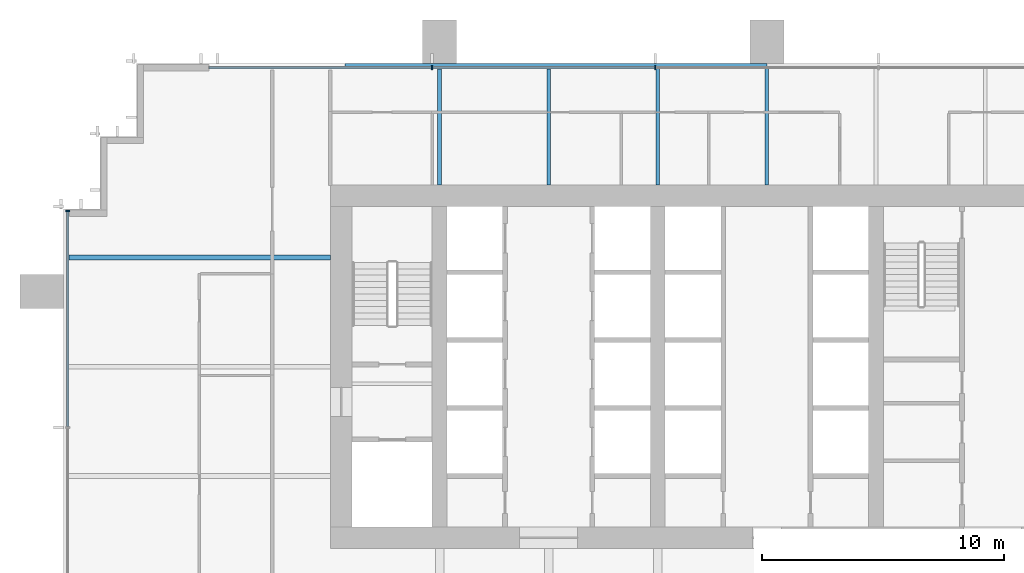
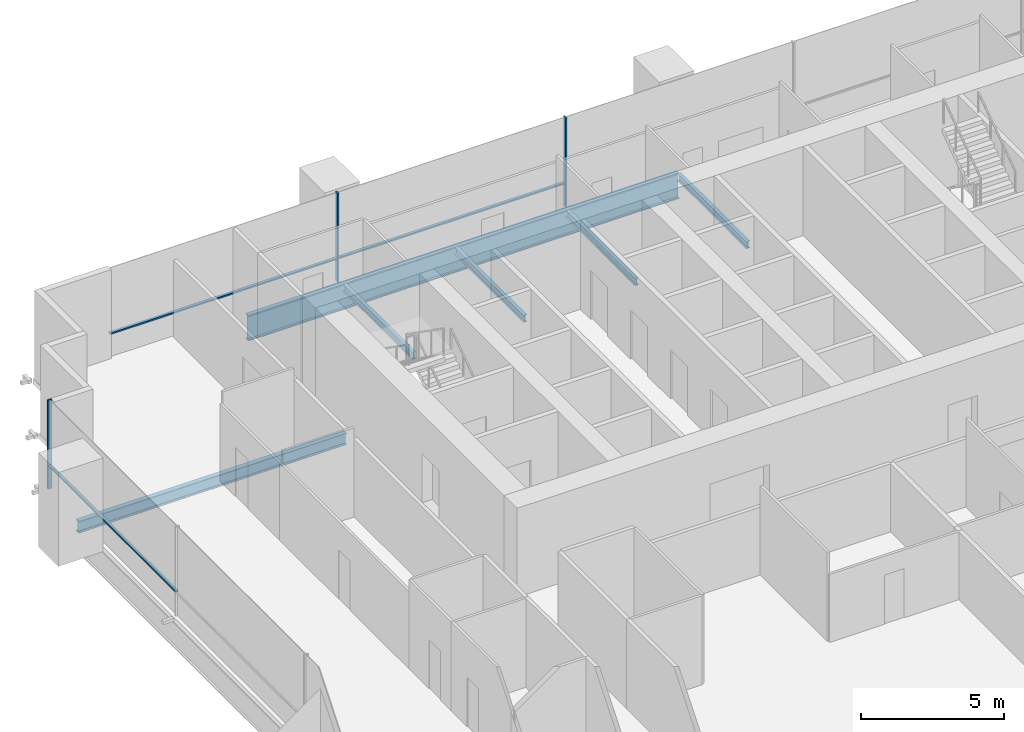
# One storey, part 7 of 15: 6 beams, 6 members, 2 elements without a shape of their own.
"""IFC4 building model written with IfcOpenShell, lengths in metres."""

import ifcopenshell
import ifcopenshell.guid

model = None  # the IFC model being written
_history = None  # IfcOwnerHistory: only IFC2X3 demands one
_inside = {}  # id of a spatial element -> (the spatial element, [elements in it])
_under = {}  # id of a project, library or spatial element -> (it, [spatial elements below it])
_declared = {}  # id of a project -> (the project, [libraries it declares])
_typed = {}  # id of a type object -> (the type object, [elements of that type])
_made_of = {}  # id of a material, layer set ... -> (it, [elements and type objects made of it])


def new_model(schema):
    """Start an empty IFC model of exactly this schema.

    Asked for "IFC4X3", IfcOpenShell would pick the latest addendum, in which some entities
    have other attributes; the version numbers below select the first issue.
    IFC2X3 requires an IfcOwnerHistory on every rooted entity: one is made here for all.
    """
    global model, _history
    if schema == "IFC4X3":
        model = ifcopenshell.file(schema_version=(4, 3, 0, 0))
    else:
        model = ifcopenshell.file(schema=schema)
    _inside.clear()
    _under.clear()
    _declared.clear()
    _typed.clear()
    _made_of.clear()
    _history = None
    if model.schema == "IFC2X3":
        org = make("IfcOrganization", Name="unknown")
        user = make(
            "IfcPersonAndOrganization",
            ThePerson=make("IfcPerson", FamilyName="unknown"),
            TheOrganization=org,
        )
        app = make(
            "IfcApplication",
            ApplicationDeveloper=org,
            Version="unknown",
            ApplicationFullName="unknown",
            ApplicationIdentifier="unknown",
        )
        _history = make(
            "IfcOwnerHistory",
            OwningUser=user,
            OwningApplication=app,
            ChangeAction="ADDED",
            CreationDate=0,
        )
    return model


def make(cls, **values):
    """One entity of the class cls with the attributes given. An attribute that is None is left unset."""
    return model.create_entity(
        cls, **{name: value for name, value in values.items() if value is not None}
    )


def rooted(cls, **values):
    """An entity with a GlobalId (a new one), such as an element, a storey or a relation."""
    return make(cls, GlobalId=ifcopenshell.guid.new(), OwnerHistory=_history, **values)


def si_unit(unit_type, name, prefix=None):
    """IfcSIUnit, for example si_unit("LENGTHUNIT", "METRE", prefix="MILLI")."""
    return make("IfcSIUnit", UnitType=unit_type, Prefix=prefix, Name=name)


def assignment(units):
    """IfcUnitAssignment: the units of a project."""
    return None if units is None else make("IfcUnitAssignment", Units=units)


def point(xyz):
    """IfcCartesianPoint."""
    return None if xyz is None else make("IfcCartesianPoint", Coordinates=xyz)


def direction(xyz):
    """IfcDirection."""
    return None if xyz is None else make("IfcDirection", DirectionRatios=xyz)


def frame(location, z_axis=None, x_axis=None):
    """IfcAxis2Placement3D, a coordinate frame: its origin and axes. An axis left out is left unset."""
    return make(
        "IfcAxis2Placement3D",
        Location=point(location),
        Axis=direction(z_axis),
        RefDirection=direction(x_axis),
    )


def frame_2d(location, x_axis=None):
    """IfcAxis2Placement2D, a coordinate frame in the plane: its origin and x axis."""
    return make(
        "IfcAxis2Placement2D", Location=point(location), RefDirection=direction(x_axis)
    )


def origin():
    """The frame at (0, 0, 0) with its axes left unset."""
    return frame((0.0, 0.0, 0.0))


def origin_2d():
    """The frame at (0, 0) in the plane with its x axis left unset."""
    return frame_2d((0.0, 0.0))


def place(relative_to, where):
    """IfcLocalPlacement: puts the frame where relative to a parent placement (None: the world)."""
    return make(
        "IfcLocalPlacement", PlacementRelTo=relative_to, RelativePlacement=where
    )


def context(
    kind, dimensions, precision=None, world=None, true_north=None, identifier=None
):
    """IfcGeometricRepresentationContext, for example the 3D "Model" context."""
    return make(
        "IfcGeometricRepresentationContext",
        ContextIdentifier=identifier,
        ContextType=kind,
        CoordinateSpaceDimension=dimensions,
        Precision=precision,
        WorldCoordinateSystem=world,
        TrueNorth=true_north,
    )


def subcontext(parent, identifier, kind, view, scale=None):
    """IfcGeometricRepresentationSubContext, for example "Body" below "Model"."""
    return make(
        "IfcGeometricRepresentationSubContext",
        ContextIdentifier=identifier,
        ContextType=kind,
        ParentContext=parent,
        TargetScale=scale,
        TargetView=view,
    )


def project(units=None, contexts=None):
    """IfcProject with its units and contexts."""
    return rooted(
        "IfcProject",
        Name="project",
        RepresentationContexts=contexts,
        UnitsInContext=assignment(units),
    )


def spatial(cls, under=None, at=None, **own):
    """A site, building, storey or space (cls), placed at a placement, below another one or the project."""
    s = rooted(cls, ObjectPlacement=at, **own)
    if under is not None:
        _under.setdefault(under.id(), (under, []))[1].append(s)
    return s


def profile(cls, at=None, kind="AREA", **sizes):
    """A parametric profile (cls). Its sizes go by their IFC names, for example OverallWidth=200.0."""
    return make(cls, ProfileType=kind, Position=at, **sizes)


def rectangle(**sizes):
    """IfcRectangleProfileDef."""
    return profile("IfcRectangleProfileDef", **sizes)


def i_section(**sizes):
    """IfcIShapeProfileDef."""
    return profile("IfcIShapeProfileDef", **sizes)


def extrude(swept, where, along, depth):
    """IfcExtrudedAreaSolid: the profile swept, set in the frame where, extruded along a direction by depth."""
    return make(
        "IfcExtrudedAreaSolid",
        SweptArea=swept,
        Position=where,
        ExtrudedDirection=direction(along),
        Depth=depth,
    )


def shape(context_of_items, identifier, shape_type, items):
    """IfcShapeRepresentation: the items that make up one representation, for example the "Body"."""
    return make(
        "IfcShapeRepresentation",
        ContextOfItems=context_of_items,
        RepresentationIdentifier=identifier,
        RepresentationType=shape_type,
        Items=items,
    )


def material(Name=None, Category=None):
    """IfcMaterial."""
    return make("IfcMaterial", Name=Name, Category=Category)


def material_profile(
    of_material, cross_section, Name=None, Category=None, Priority=None
):
    """IfcMaterialProfile: a cross section and its material."""
    return make(
        "IfcMaterialProfile",
        Name=Name,
        Material=of_material,
        Profile=cross_section,
        Priority=Priority,
        Category=Category,
    )


def profile_set(profiles, Name=None, composite=None):
    """IfcMaterialProfileSet."""
    return make(
        "IfcMaterialProfileSet",
        Name=Name,
        MaterialProfiles=profiles,
        CompositeProfile=composite,
    )


def made_of(thing, what):
    """Note that an element or type object is made of a material, layer set ...; save() writes the relation."""
    if what is not None:
        _made_of.setdefault(what.id(), (what, []))[1].append(thing)
    return thing


def type_object(cls, material=None, **own):
    """A type object (cls), such as IfcWallType, which elements share."""
    return made_of(rooted(cls, **own), material)


def element(
    cls,
    number,
    at=None,
    inside=None,
    cuts=None,
    type_object=None,
    material=None,
    context=None,
    identifier="Body",
    shape_type=None,
    held_by="IfcProductDefinitionShape",
    body=None,
    shapes=None,
    **own,
):
    """One element of the class cls, such as IfcWall. Its Tag is "e" and its number.

    at: its placement. inside: the storey or other place that contains it. cuts: it is an
    opening in that element (IfcRelVoidsElement). A single representation is given by context,
    identifier, shape_type and body (its items); several are given by shapes. held_by: the class
    of the entity that holds the representations. save() writes the other relations.
    """
    e = rooted(cls, Tag="e%d" % number, ObjectPlacement=at, **own)
    if body is not None:
        shapes = [shape(context, identifier, shape_type, body)]
    if shapes is not None:
        e.Representation = make(held_by, Representations=shapes)
    if inside is not None:
        _inside.setdefault(inside.id(), (inside, []))[1].append(e)
    if cuts is not None:
        rooted(
            "IfcRelVoidsElement", RelatingBuildingElement=cuts, RelatedOpeningElement=e
        )
    if type_object is not None:
        _typed.setdefault(type_object.id(), (type_object, []))[1].append(e)
    return made_of(e, material)


def aggregate(whole, parts):
    """IfcRelAggregates: a whole, such as a stair, and the parts it consists of."""
    return rooted("IfcRelAggregates", RelatingObject=whole, RelatedObjects=parts)


def save(model, path):
    """Write the relations noted so far, then the file.

    IfcRelAggregates (storeys below a building ...), IfcRelContainedInSpatialStructure (elements
    in a storey), IfcRelDefinesByType, IfcRelAssociatesMaterial and IfcRelDeclares: one each for
    every whole, place, type object, material and project.
    """
    for whole, parts in _under.values():
        aggregate(whole, parts)
    for where, things in _inside.values():
        rooted(
            "IfcRelContainedInSpatialStructure",
            RelatedElements=things,
            RelatingStructure=where,
        )
    for kind, things in _typed.values():
        rooted("IfcRelDefinesByType", RelatedObjects=things, RelatingType=kind)
    for what, things in _made_of.values():
        rooted("IfcRelAssociatesMaterial", RelatedObjects=things, RelatingMaterial=what)
    for by, libraries in _declared.values():
        rooted("IfcRelDeclares", RelatingContext=by, RelatedDefinitions=libraries)
    model.write(path)


model = new_model("IFC4")

# Units and contexts
model_context = context("Model", 3, precision=1e-05, world=origin(), true_north=direction((0.0, 1.0)))
body_context = subcontext(model_context, "Body", "Model", "MODEL_VIEW")
ifc_project = project(units=[si_unit("LENGTHUNIT", "METRE"), si_unit("AREAUNIT", "SQUARE_METRE"), si_unit("VOLUMEUNIT", "CUBIC_METRE"), si_unit("PLANEANGLEUNIT", "RADIAN"), si_unit("MASSUNIT", "GRAM", prefix="KILO")], contexts=[model_context])

# Site, building, storey
site_placement = place(None, origin())
site = spatial("IfcSite", under=ifc_project, at=site_placement, CompositionType="ELEMENT")
building_placement = place(site_placement, origin())
building = spatial("IfcBuilding", under=site, at=building_placement, Name="Rattan Terrace Tower", CompositionType="ELEMENT")
storey_placement = place(building_placement, frame((0.0, 0.0, 142.10009765625)))
storey = spatial("IfcBuildingStorey", under=building, at=storey_placement, Name="L32", CompositionType="ELEMENT", Elevation=142.10009765625)

# Curtain wall, members
ifc_material_1 = material(Name="Aluminium and glass", Category="aluminium")
curtain_wall_type = type_object("IfcCurtainWallType", Name="Facade Unitised Curtain Wall", PredefinedType="NOTDEFINED", material=ifc_material_1)
curtain_wall_1_placement = place(storey_placement, origin())
curtain_wall_1 = element("IfcCurtainWall", 1, at=curtain_wall_1_placement, inside=storey, type_object=curtain_wall_type, Name="Curtain wall L32-2", PredefinedType="NOTDEFINED")
ifc_material_2 = material(Name="Aluminium", Category="aluminium")
ifc_material_profile_1 = material_profile(ifc_material_2, rectangle(XDim=0.06005859375, YDim=0.159912109375, at=origin_2d()), Name="Aluminium 60x160")
ifc_profile_set_1 = profile_set([ifc_material_profile_1], Name="Aluminium")
member_type_1 = type_object("IfcMemberType", Name="Facade CW Mullion 60x160", PredefinedType="MULLION", material=ifc_profile_set_1)
member_1_placement = place(storey_placement, frame((-4.60302734375, 12.330078125, 0.0), z_axis=(0.0, 0.0, 1.0), x_axis=(-1.0, 0.0, 0.0)))
member_1 = element("IfcMember", 2, at=member_1_placement, type_object=member_type_1, Name="Mullion cwl-L32-002.4", PredefinedType="MULLION", context=body_context, shape_type="SweptSolid", body=[
    extrude(rectangle(XDim=0.06005859375, YDim=0.159912109375, at=origin_2d()), origin(), (0.0, 0.0, 1.0), 3.7998046875),
])
member_2_placement = place(storey_placement, frame((-13.803955078125, 12.330078125, 0.0), z_axis=(0.0, 0.0, 1.0), x_axis=(-1.0, 0.0, 0.0)))
member_2 = element("IfcMember", 3, at=member_2_placement, type_object=member_type_1, Name="Mullion cwl-L32-002.5", PredefinedType="MULLION", context=body_context, shape_type="SweptSolid", body=[
    extrude(rectangle(XDim=0.06005859375, YDim=0.159912109375, at=origin_2d()), origin(), (0.0, 0.0, 1.0), 3.7998046875),
])

# Curtain wall, member
curtain_wall_2_placement = place(storey_placement, origin())
curtain_wall_2 = element("IfcCurtainWall", 4, at=curtain_wall_2_placement, inside=storey, type_object=curtain_wall_type, Name="Curtain wall L32-3", PredefinedType="NOTDEFINED")
member_3_placement = place(storey_placement, frame((-28.830078125, 6.425048828125, 0.0), z_axis=(0.0, 0.0, 1.0), x_axis=(0.0, -1.0, 0.0)))
member_3 = element("IfcMember", 5, at=member_3_placement, type_object=member_type_1, Name="Mullion cwl-L32-003.1", PredefinedType="MULLION", context=body_context, shape_type="SweptSolid", body=[
    extrude(rectangle(XDim=0.06005859375, YDim=0.159912109375, at=origin_2d()), origin(), (0.0, 0.0, 1.0), 3.7998046875),
])

# Member
ifc_material_3 = material(Name="Aluminium", Category="aluminium")
ifc_material_profile_2 = material_profile(ifc_material_3, rectangle(XDim=0.1201171875, YDim=0.06005859375, at=origin_2d()), Name="Aluminium 120x60")
ifc_profile_set_2 = profile_set([ifc_material_profile_2], Name="Aluminium")
member_type_2 = type_object("IfcMemberType", Name="Facade CW Transom 120x60", PredefinedType="USERDEFINED", material=ifc_profile_set_2)
member_4_placement = place(storey_placement, frame((-4.633056640625, 12.330078125, 1.0), z_axis=(-1.0, 0.0, 0.0), x_axis=(0.0, -1.0, 0.0)))
member_4 = element("IfcMember", 6, at=member_4_placement, type_object=member_type_2, Name="Transom cwl-L32-002.4", ObjectType="TRANSOM", PredefinedType="USERDEFINED", context=body_context, shape_type="SweptSolid", body=[
    extrude(rectangle(XDim=0.1201171875, YDim=0.06005859375, at=origin_2d()), origin(), (0.0, 0.0, 1.0), 9.140869140625),
])

member_5_placement = place(storey_placement, frame((-13.833984375, 12.330078125, 1.0), z_axis=(-1.0, 0.0, 0.0), x_axis=(0.0, -1.0, 0.0)))
member_5 = element("IfcMember", 7, at=member_5_placement, type_object=member_type_2, Name="Transom cwl-L32-002.5", ObjectType="TRANSOM", PredefinedType="USERDEFINED", context=body_context, shape_type="SweptSolid", body=[
    extrude(rectangle(XDim=0.1201171875, YDim=0.06005859375, at=origin_2d()), origin(), (0.0, 0.0, 1.0), 9.166015625),
])

aggregate(curtain_wall_1, [member_1, member_2, member_4, member_5])

member_6_placement = place(storey_placement, frame((-28.830078125, 6.39501953125, 1.0), z_axis=(0.0, -1.0, 0.0), x_axis=(1.0, 0.0, 0.0)))
member_6 = element("IfcMember", 8, at=member_6_placement, type_object=member_type_2, Name="Transom cwl-L32-003.1", ObjectType="TRANSOM", PredefinedType="USERDEFINED", context=body_context, shape_type="SweptSolid", body=[
    extrude(rectangle(XDim=0.1201171875, YDim=0.06005859375, at=origin_2d()), origin(), (0.0, 0.0, 1.0), 8.864990234375),
])

aggregate(curtain_wall_2, [member_3, member_6])

# Beams
ifc_material_4 = material(Name="Steel S460", Category="steel")
ifc_material_profile_3 = material_profile(ifc_material_4, i_section(OverallWidth=0.179931640625, OverallDepth=1.10009765625, WebThickness=0.01611328125, FlangeThickness=0.050048828125, at=origin_2d()), Name="PG 1100x180-16-50")
ifc_profile_set_3 = profile_set([ifc_material_profile_3], Name="Steel S460")
beam_type_1 = type_object("IfcBeamType", Name="Frame edge girder PG 1100x180-16-50", PredefinedType="SPANDREL", material=ifc_profile_set_3)
beam_1_placement = place(storey_placement, frame((-17.39990234375, 12.409912109375, -0.75), z_axis=(1.0, 0.0, 0.0), x_axis=(0.0, 1.0, 0.0)))
element("IfcBeam", 9, at=beam_1_placement, inside=storey, type_object=beam_type_1, Name="gdr-L32-005", PredefinedType="SPANDREL", context=body_context, shape_type="SweptSolid", body=[
    extrude(i_section(OverallWidth=0.179931640625, OverallDepth=1.10009765625, WebThickness=0.01611328125, FlangeThickness=0.050048828125, at=origin_2d()), origin(), (0.0, 0.0, 1.0), 17.39990234375),
])
ifc_material_5 = material(Name="Steel S355", Category="steel")
ifc_material_profile_4 = material_profile(ifc_material_5, i_section(OverallWidth=0.14990234375, OverallDepth=0.300048828125, WebThickness=0.007080078125, FlangeThickness=0.0107421875, FilletRadius=0.014892578125, at=origin_2d()), Name="IPE 300")
ifc_profile_set_4 = profile_set([ifc_material_profile_4], Name="Steel S355")
beam_type_2 = type_object("IfcBeamType", Name="Frame floor beam IPE 300", PredefinedType="JOIST", material=ifc_profile_set_4)
for number, where, z_axis, x_axis, name in (
    (10, (-13.5, 7.5, -0.35009765625), (0.0, 1.0, 0.0), (-1.0, 0.0, 0.0), "bm-L32-016"),
    (11, (-9.0, 7.5, -0.35009765625), (0.0, 1.0, 0.0), (-1.0, 0.0, 0.0), "bm-L32-017"),
    (12, (-4.5, 7.5, -0.35009765625), (0.0, 1.0, 0.0), (-1.0, 0.0, 0.0), "bm-L32-018"),
    (13, (0.0, 7.5, -0.35009765625), (0.0, 1.0, 0.0), (-1.0, 0.0, 0.0), "bm-L32-019"),
):
    element("IfcBeam", number, at=place(storey_placement, frame(where, z_axis=z_axis, x_axis=x_axis)), inside=storey, type_object=beam_type_2, Name=name, PredefinedType="JOIST", context=body_context, shape_type="SweptSolid", body=[
        extrude(i_section(OverallWidth=0.14990234375, OverallDepth=0.300048828125, WebThickness=0.007080078125, FlangeThickness=0.0107421875, FilletRadius=0.014892578125, at=origin_2d()), origin(), (0.0, 0.0, 1.0), 4.820068359375),
    ])
ifc_material_6 = material(Name="Steel S355", Category="steel")
ifc_material_profile_5 = material_profile(ifc_material_6, i_section(OverallWidth=0.199951171875, OverallDepth=0.5, WebThickness=0.01025390625, FlangeThickness=0.01611328125, FilletRadius=0.02099609375, at=origin_2d()), Name="IPE 500")
ifc_profile_set_5 = profile_set([ifc_material_profile_5], Name="Steel S355")
beam_type_3 = type_object("IfcBeamType", Name="Frame floor beam IPE 500", PredefinedType="JOIST", material=ifc_profile_set_5)
beam_2_placement = place(storey_placement, frame((-28.820068359375, 4.5, -0.4501953125), z_axis=(1.0, 0.0, 0.0), x_axis=(0.0, 1.0, 0.0)))
element("IfcBeam", 14, at=beam_2_placement, inside=storey, type_object=beam_type_3, Name="bm-L32-014", PredefinedType="JOIST", context=body_context, shape_type="SweptSolid", body=[
    extrude(i_section(OverallWidth=0.199951171875, OverallDepth=0.5, WebThickness=0.01025390625, FlangeThickness=0.01611328125, FilletRadius=0.02099609375, at=origin_2d()), origin(), (0.0, 0.0, 1.0), 10.820068359375),
])

save(model, "model.ifc")
